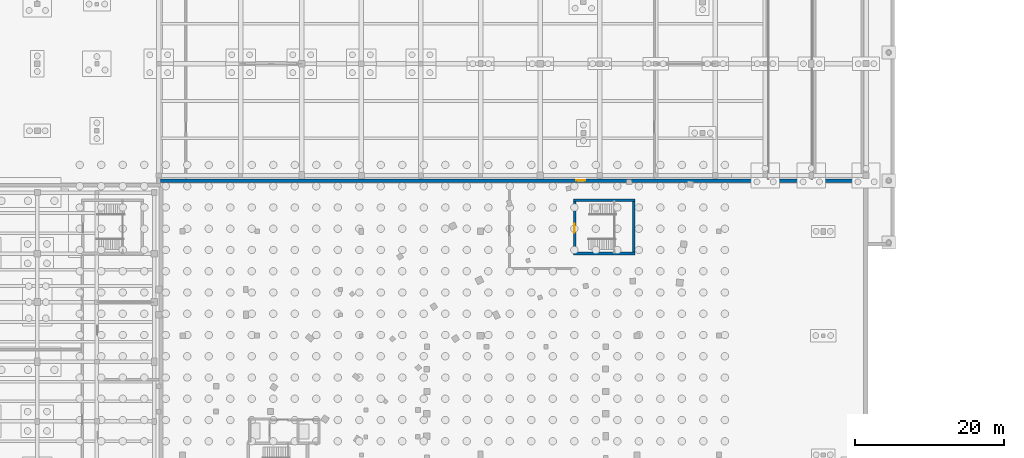
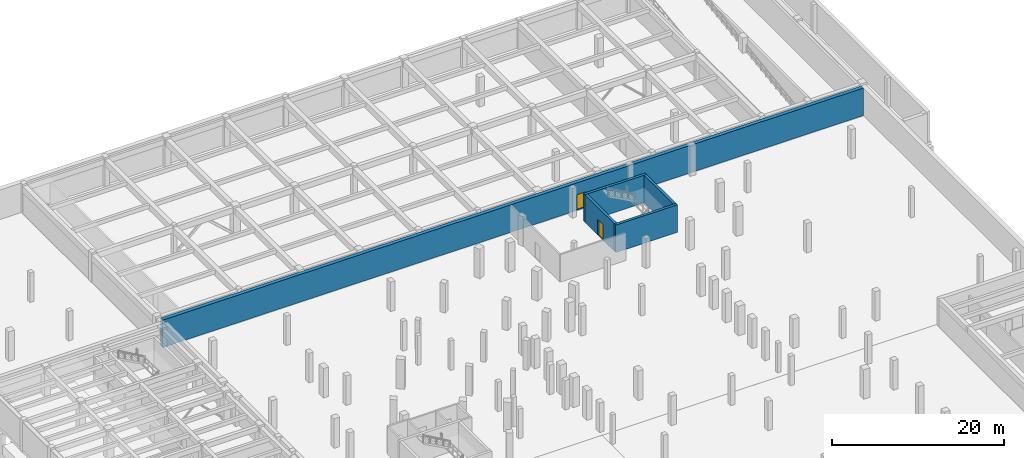
# One storey, part 27 of 36: 5 walls, 2 doors, 2 openings.
"""IFC4 building model written with IfcOpenShell, lengths in metres."""

from ifc_helpers import new_model, si_unit, direction, frame, frame_2d, origin, place, context, subcontext, project, spatial, rectangle, extrude, material, layer, layer_set, type_object, element, fill, save


model = new_model("IFC4")

# Units and contexts
model_context = context("Model", 3, precision=1e-05, world=origin(), true_north=direction((0.0, 1.0)))
body_context = subcontext(model_context, "Body", "Model", "MODEL_VIEW")
ifc_project = project(units=[si_unit("LENGTHUNIT", "METRE"), si_unit("AREAUNIT", "SQUARE_METRE"), si_unit("VOLUMEUNIT", "CUBIC_METRE"), si_unit("PLANEANGLEUNIT", "RADIAN"), si_unit("MASSUNIT", "GRAM", prefix="KILO"), si_unit("THERMODYNAMICTEMPERATUREUNIT", "KELVIN"), si_unit("POWERUNIT", "WATT")], contexts=[model_context])

# Site, building, storey
site_placement = place(None, origin())
site = spatial("IfcSite", under=ifc_project, at=site_placement, CompositionType="ELEMENT")
building_placement = place(site_placement, origin())
building = spatial("IfcBuilding", under=site, at=building_placement, Name="Solvatero Civic Police Headquarters", CompositionType="ELEMENT")
storey_placement = place(building_placement, frame((0.0, 0.0, -8.39990234375)))
storey = spatial("IfcBuildingStorey", under=building, at=storey_placement, Name="B02", CompositionType="ELEMENT", Elevation=-8.39990234375)

# Wall, opening, door
ifc_material_1 = material(Name="Concrete C35/45", Category="concrete")
ifc_layer_1 = layer(ifc_material_1, 0.5)
ifc_layer_set_1 = layer_set([ifc_layer_1], Name="Concrete C35/45")
wall_type_1 = type_object("IfcWallType", Name="WL-RET-500", PredefinedType="USERDEFINED", material=ifc_layer_set_1)
wall_1_placement = place(storey_placement, frame((29.050048828125, 84.800048828125, 0.0), z_axis=(0.0, 0.0, 1.0), x_axis=(1.0, 0.0, 0.0)))
wall_1 = element("IfcWall", 1, at=wall_1_placement, inside=storey, type_object=wall_type_1, Name="B02 Watertight Tanked Retaining Wall RW-INT-NS", ObjectType="RETAINING WALL", PredefinedType="USERDEFINED", context=body_context, shape_type="SweptSolid", body=[
    extrude(rectangle(XDim=94.349853515625, YDim=0.5, at=frame_2d((47.1748046875, 0.0))), origin(), (0.0, 0.0, 1.0), 3.919921875),
])
opening_1_placement = place(wall_1_placement, frame((55.800048828125, 0.0, 0.0)))
opening_1 = element("IfcOpeningElement", 2, at=opening_1_placement, cuts=wall_1, Name="Opening ID-11", PredefinedType="OPENING", context=body_context, shape_type="SweptSolid", body=[
    extrude(rectangle(XDim=1.179931640625, YDim=2.239990234375, at=frame_2d((0.58984375, 1.1201171875))), frame((0.0, 0.260009765625, 0.0), z_axis=(0.0, -1.0, 0.0), x_axis=(1.0, 0.0, 0.0)), (0.0, 0.0, 1.0), 0.52001953125),
])
ifc_material_2 = material(Name="Powder-Coated Steel", Category="steel")
door_type_1 = type_object("IfcDoorType", Name="DR-COR-118x224", OperationType="NOTDEFINED", PredefinedType="DOOR", material=ifc_material_2)
door_1_placement = place(opening_1_placement, origin())
door_1 = element("IfcDoor", 3, at=door_1_placement, inside=storey, type_object=door_type_1, Name="Interior Door DR-B02-GAR-C3", OperationType="SINGLE_SWING_LEFT", OverallHeight=2.239990234375, OverallWidth=1.179931640625, PredefinedType="DOOR", context=body_context, shape_type="SweptSolid", body=[
    extrude(rectangle(XDim=1.179931640625, YDim=2.239990234375, at=frame_2d((0.58984375, 1.1201171875))), frame((0.0, 0.02490234375, 0.0), z_axis=(0.0, -1.0, 0.0), x_axis=(1.0, 0.0, 0.0)), (0.0, 0.0, 1.0), 0.050048828125),
])
fill(opening_1, door_1)

# Walls
ifc_material_3 = material(Name="Concrete C40/50", Category="concrete")
ifc_layer_2 = layer(ifc_material_3, 0.35009765625)
ifc_layer_set_2 = layer_set([ifc_layer_2], Name="Concrete C40/50")
wall_type_2 = type_object("IfcWallType", Name="WL-SHR-350", PredefinedType="SHEAR", material=ifc_layer_set_2)
for number, where, z_axis, x_axis, name in (
    (4, (84.449951171875, 75.02490234375, 0.0), (0.0, 0.0, 1.0), (1.0, 0.0, 0.0), "Core C3 Shear Wall S B02"),
    (5, (84.449951171875, 82.175048828125, 0.0), (0.0, 0.0, 1.0), (1.0, 0.0, 0.0), "Core C3 Shear Wall N B02"),
):
    element("IfcWall", number, at=place(storey_placement, frame(where, z_axis=z_axis, x_axis=x_axis)), inside=storey, type_object=wall_type_2, Name=name, PredefinedType="SHEAR", context=body_context, shape_type="SweptSolid", body=[
        extrude(rectangle(XDim=8.300048828125, YDim=0.35009765625, at=frame_2d((4.14990234375, 0.0))), origin(), (0.0, 0.0, 1.0), 3.919921875),
    ])

# Wall, opening, door
wall_2_placement = place(storey_placement, frame((84.625, 75.199951171875, 0.0), z_axis=(0.0, 0.0, 1.0), x_axis=(0.0, 1.0, 0.0)))
wall_2 = element("IfcWall", 6, at=wall_2_placement, inside=storey, type_object=wall_type_2, Name="Core C3 Shear Wall W B02", PredefinedType="SHEAR", context=body_context, shape_type="SweptSolid", body=[
    extrude(rectangle(XDim=6.800048828125, YDim=0.35009765625, at=frame_2d((3.39990234375, 0.0))), origin(), (0.0, 0.0, 1.0), 3.919921875),
])
opening_2_placement = place(wall_2_placement, frame((2.60009765625, 0.0, 0.0)))
opening_2 = element("IfcOpeningElement", 7, at=opening_2_placement, cuts=wall_2, Name="Opening FD-01", PredefinedType="OPENING", context=body_context, shape_type="SweptSolid", body=[
    extrude(rectangle(XDim=1.25, YDim=2.199951171875, at=frame_2d((0.625, 1.10009765625))), frame((0.0, 0.18505859375, 0.0), z_axis=(0.0, -1.0, 0.0), x_axis=(1.0, 0.0, 0.0)), (0.0, 0.0, 1.0), 0.3701171875),
])
door_type_2 = type_object("IfcDoorType", Name="DR-STR-125x220", OperationType="NOTDEFINED", PredefinedType="DOOR", material=ifc_material_2)
door_2_placement = place(opening_2_placement, origin())
door_2 = element("IfcDoor", 8, at=door_2_placement, inside=storey, type_object=door_type_2, Name="Interior Door DR-STR-C3-B02", OperationType="SINGLE_SWING_LEFT", OverallHeight=2.199951171875, OverallWidth=1.25, PredefinedType="DOOR", context=body_context, shape_type="SweptSolid", body=[
    extrude(rectangle(XDim=1.25, YDim=2.199951171875, at=frame_2d((0.625, 1.10009765625))), frame((0.0, 0.02490234375, 0.0), z_axis=(0.0, -1.0, 0.0), x_axis=(1.0, 0.0, 0.0)), (0.0, 0.0, 1.0), 0.050048828125),
])
fill(opening_2, door_2)

# Wall
wall_3_placement = place(storey_placement, frame((92.574951171875, 75.199951171875, 0.0), z_axis=(0.0, 0.0, 1.0), x_axis=(0.0, 1.0, 0.0)))
element("IfcWall", 9, at=wall_3_placement, inside=storey, type_object=wall_type_2, Name="Core C3 Shear Wall E B02", PredefinedType="SHEAR", context=body_context, shape_type="SweptSolid", body=[
    extrude(rectangle(XDim=6.800048828125, YDim=0.35009765625, at=frame_2d((3.39990234375, 0.0))), origin(), (0.0, 0.0, 1.0), 3.919921875),
])

save(model, "model.ifc")
